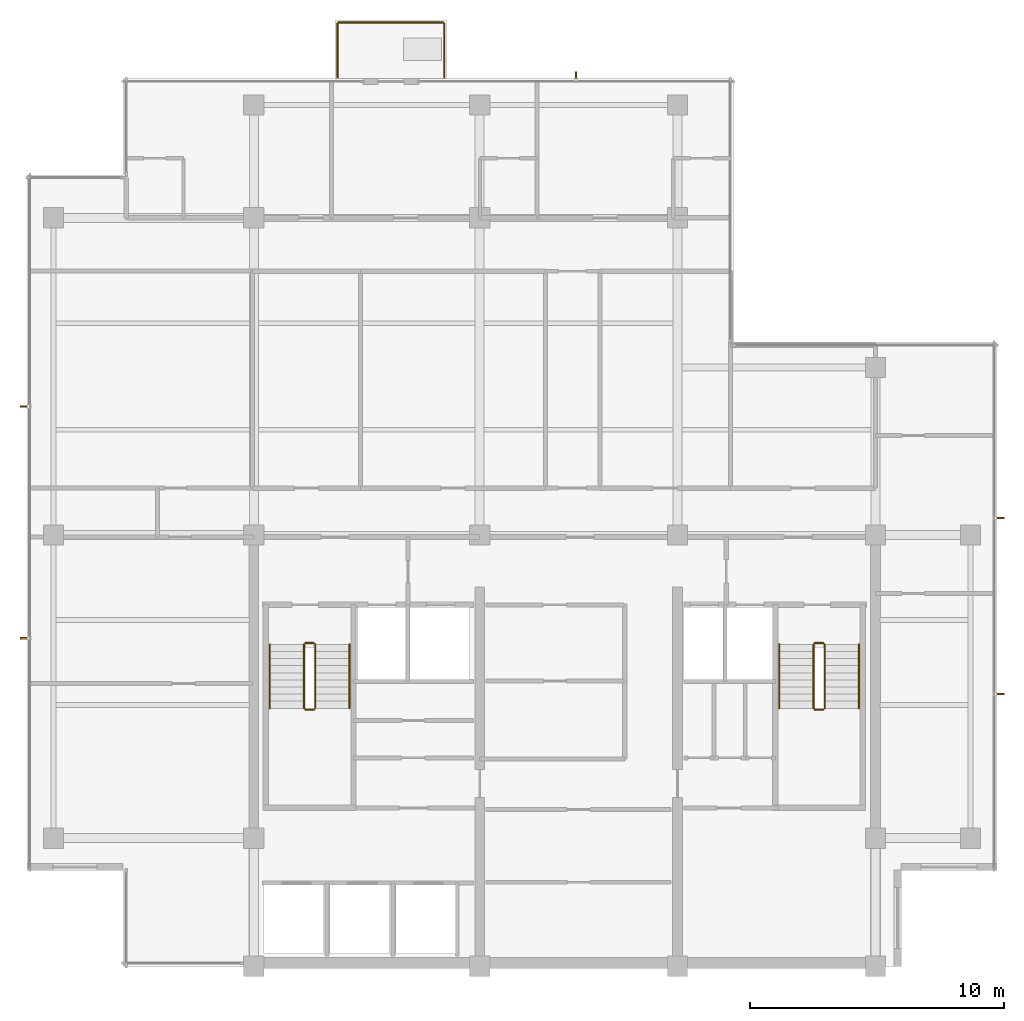
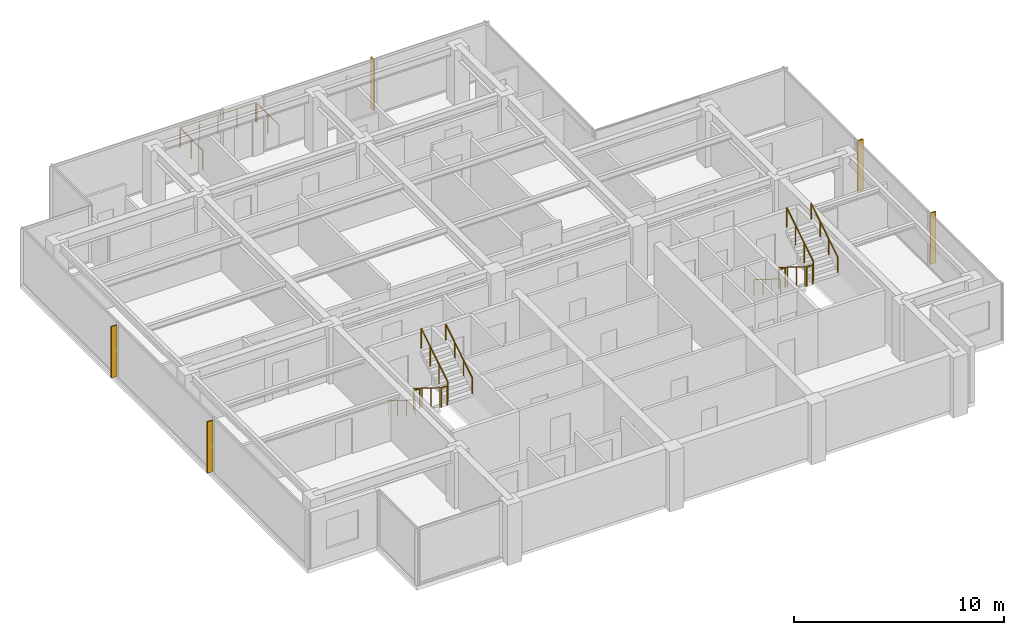
# One storey, part 11 of 11: 15 railings, 5 shading devices.
"""IFC4 building model written with IfcOpenShell, lengths in metres."""

from ifc_helpers import new_model, si_unit, direction, frame, origin, origin_2d, place, context, subcontext, project, spatial, polyline, circle, outline, extrude, material, layer, layer_set, type_object, element, save


model = new_model("IFC4")

# Units and contexts
model_context = context("Model", 3, precision=1e-05, world=origin(), true_north=direction((0.0, 1.0)))
body_context = subcontext(model_context, "Body", "Model", "MODEL_VIEW")
ifc_project = project(units=[si_unit("LENGTHUNIT", "METRE"), si_unit("AREAUNIT", "SQUARE_METRE"), si_unit("VOLUMEUNIT", "CUBIC_METRE"), si_unit("PLANEANGLEUNIT", "RADIAN"), si_unit("MASSUNIT", "GRAM", prefix="KILO")], contexts=[model_context])

# Site, building, storey
site_placement = place(None, origin())
site = spatial("IfcSite", under=ifc_project, at=site_placement, CompositionType="ELEMENT")
building_placement = place(site_placement, origin())
building = spatial("IfcBuilding", under=site, at=building_placement, Name="Qalmaran Belvedere Hotel", CompositionType="ELEMENT")
storey_placement = place(building_placement, frame((0.0, 0.0, 245.89990234375)))
storey = spatial("IfcBuildingStorey", under=building, at=storey_placement, Name="L63", CompositionType="ELEMENT", Elevation=245.89990234375)

# Shading devices
ifc_material_1 = material(Name="Anodised Bronze Aluminium", Category="aluminium")
ifc_layer = layer(ifc_material_1, 0.06494140625, Name="Anodised Bronze Aluminium")
ifc_layer_set = layer_set([ifc_layer], Name="Anodised Bronze Aluminium")
shading_device_type = type_object("IfcShadingDeviceType", Name="FIN-BRNZ-300", PredefinedType="USERDEFINED", material=ifc_layer_set)
shading_device_1_placement = place(storey_placement, frame((0.0, 0.0, 0.16015625)))
element("IfcShadingDevice", 1, at=shading_device_1_placement, inside=storey, type_object=shading_device_type, Name="L63 Bronze Fin 1", ObjectType="FIN", PredefinedType="USERDEFINED", context=body_context, shape_type="SweptSolid", body=[
    extrude(outline(polyline([(49.5673828125, 14.20068359375), (49.867431640625, 14.20068359375), (49.867431640625, 14.265869140625), (49.5673828125, 14.265869140625), (49.5673828125, 14.20068359375)])), origin(), (0.0, 0.0, 1.0), 2.97998046875),
])
shading_device_2_placement = place(storey_placement, frame((0.0, 0.0, 0.16015625)))
element("IfcShadingDevice", 2, at=shading_device_2_placement, inside=storey, type_object=shading_device_type, Name="L63 Bronze Fin 2", ObjectType="FIN", PredefinedType="USERDEFINED", context=body_context, shape_type="SweptSolid", body=[
    extrude(outline(polyline([(49.5673828125, 21.13427734375), (49.867431640625, 21.13427734375), (49.867431640625, 21.19921875), (49.5673828125, 21.19921875), (49.5673828125, 21.13427734375)])), origin(), (0.0, 0.0, 1.0), 2.97998046875),
])
shading_device_3_placement = place(storey_placement, frame((0.0, 0.0, 0.16015625)))
element("IfcShadingDevice", 3, at=shading_device_3_placement, inside=storey, type_object=shading_device_type, Name="L63 Bronze Fin 1", ObjectType="FIN", PredefinedType="USERDEFINED", context=body_context, shape_type="SweptSolid", body=[
    extrude(outline(polyline([(33.032470703125, 38.467529296875), (33.032470703125, 38.767578125), (32.967529296875, 38.767578125), (32.967529296875, 38.467529296875), (33.032470703125, 38.467529296875)])), origin(), (0.0, 0.0, 1.0), 2.97998046875),
])
shading_device_4_placement = place(storey_placement, frame((0.0, 0.0, 0.16015625)))
element("IfcShadingDevice", 4, at=shading_device_4_placement, inside=storey, type_object=shading_device_type, Name="L63 Bronze Fin 1", ObjectType="FIN", PredefinedType="USERDEFINED", context=body_context, shape_type="SweptSolid", body=[
    extrude(outline(polyline([(11.382568359375, 25.59912109375), (11.08251953125, 25.59912109375), (11.08251953125, 25.5341796875), (11.382568359375, 25.5341796875), (11.382568359375, 25.59912109375)])), origin(), (0.0, 0.0, 1.0), 2.97998046875),
])
shading_device_5_placement = place(storey_placement, frame((0.0, 0.0, 0.16015625)))
element("IfcShadingDevice", 5, at=shading_device_5_placement, inside=storey, type_object=shading_device_type, Name="L63 Bronze Fin 2", ObjectType="FIN", PredefinedType="USERDEFINED", context=body_context, shape_type="SweptSolid", body=[
    extrude(outline(polyline([(11.382568359375, 16.4658203125), (11.08251953125, 16.4658203125), (11.08251953125, 16.40087890625), (11.382568359375, 16.40087890625), (11.382568359375, 16.4658203125)])), origin(), (0.0, 0.0, 1.0), 2.97998046875),
])

# Railings
railing_type_1 = type_object("IfcRailingType", Name="GRD-BAL-1150", PredefinedType="BALUSTRADE", material=ifc_material_1)
railing_1_placement = place(storey_placement, frame((23.60009765625, 38.534912109375, 0.0)))
element("IfcRailing", 6, at=railing_1_placement, inside=storey, type_object=railing_type_1, Name="L63 Guardrail BAL-L63-N-1", PredefinedType="BALUSTRADE", context=body_context, shape_type="SweptSolid", body=[
    extrude(circle(Radius=0.02392578125, at=origin_2d()), frame((0.0, 0.0, 1.1259765625), z_axis=(0.0, 1.0, 0.0), x_axis=(-1.0, 0.0, 0.0)), (0.0, 0.0, 1.0), 2.130126953125),
    extrude(circle(Radius=0.02099609375, at=origin_2d()), origin(), (0.0, 0.0, 1.0), 1.101806640625),
    extrude(circle(Radius=0.02099609375, at=origin_2d()), frame((0.0, 1.06494140625, 0.0)), (0.0, 0.0, 1.0), 1.101806640625),
    extrude(circle(Radius=0.02099609375, at=origin_2d()), frame((0.0, 2.130126953125, 0.0)), (0.0, 0.0, 1.0), 1.101806640625),
])
railing_2_placement = place(storey_placement, frame((23.635009765625, 40.699951171875, 0.0)))
element("IfcRailing", 7, at=railing_2_placement, inside=storey, type_object=railing_type_1, Name="L63 Guardrail BAL-L63-N-2", PredefinedType="BALUSTRADE", context=body_context, shape_type="SweptSolid", body=[
    extrude(circle(Radius=0.02392578125, at=origin_2d()), frame((0.0, 0.0, 1.1259765625), z_axis=(1.0, 0.0, 0.0), x_axis=(0.0, 1.0, 0.0)), (0.0, 0.0, 1.0), 4.1298828125),
    extrude(circle(Radius=0.02099609375, at=origin_2d()), origin(), (0.0, 0.0, 1.0), 1.101806640625),
    extrude(circle(Radius=0.02099609375, at=origin_2d()), frame((1.032470703125, 0.0, 0.0)), (0.0, 0.0, 1.0), 1.101806640625),
    extrude(circle(Radius=0.02099609375, at=origin_2d()), frame((2.06494140625, 0.0, 0.0)), (0.0, 0.0, 1.0), 1.101806640625),
    extrude(circle(Radius=0.02099609375, at=origin_2d()), frame((3.097412109375, 0.0, 0.0)), (0.0, 0.0, 1.0), 1.101806640625),
    extrude(circle(Radius=0.02099609375, at=origin_2d()), frame((4.1298828125, 0.0, 0.0)), (0.0, 0.0, 1.0), 1.101806640625),
])
railing_3_placement = place(storey_placement, frame((27.800048828125, 40.6650390625, 0.0)))
element("IfcRailing", 8, at=railing_3_placement, inside=storey, type_object=railing_type_1, Name="L63 Guardrail BAL-L63-N-3", PredefinedType="BALUSTRADE", context=body_context, shape_type="SweptSolid", body=[
    extrude(circle(Radius=0.02392578125, at=origin_2d()), frame((0.0, 0.0, 1.1259765625), z_axis=(0.0, -1.0, 0.0), x_axis=(1.0, 0.0, 0.0)), (0.0, 0.0, 1.0), 2.130126953125),
    extrude(circle(Radius=0.02099609375, at=origin_2d()), origin(), (0.0, 0.0, 1.0), 1.101806640625),
    extrude(circle(Radius=0.02099609375, at=origin_2d()), frame((0.0, -1.06494140625, 0.0)), (0.0, 0.0, 1.0), 1.101806640625),
    extrude(circle(Radius=0.02099609375, at=origin_2d()), frame((0.0, -2.130126953125, 0.0)), (0.0, 0.0, 1.0), 1.101806640625),
])
ifc_material_2 = material(Name="Stainless Steel 1.4401", Category="steel")
railing_type_2 = type_object("IfcRailingType", Name="RLG-STAIR-GUARD-1150", PredefinedType="GUARDRAIL", material=ifc_material_2)
railing_4_placement = place(storey_placement, frame((22.280029296875, 16.18994140625, 0.175048828125)))
element("IfcRailing", 9, at=railing_4_placement, inside=storey, type_object=railing_type_2, Name="L63 ST-1 stair guard 1", PredefinedType="GUARDRAIL", context=body_context, shape_type="SweptSolid", body=[
    extrude(circle(Radius=0.02392578125, at=origin_2d()), frame((0.0, 0.0, 1.1259765625), z_axis=(0.0, -0.848007534815, 0.529984170421), x_axis=(1.0, 0.0, 0.0)), (0.0, 0.0, 1.0), 2.9716796875),
    extrude(circle(Radius=0.02099609375, at=origin_2d()), origin(), (0.0, 0.0, 1.0), 1.101806640625),
    extrude(circle(Radius=0.02099609375, at=origin_2d()), frame((0.0, -0.840087890625, 0.52490234375)), (0.0, 0.0, 1.0), 1.101806640625),
    extrude(circle(Radius=0.02099609375, at=origin_2d()), frame((0.0, -1.679931640625, 1.050048828125)), (0.0, 0.0, 1.0), 1.101806640625),
    extrude(circle(Radius=0.02099609375, at=origin_2d()), frame((0.0, -2.52001953125, 1.574951171875)), (0.0, 0.0, 1.0), 1.101806640625),
])
railing_5_placement = place(storey_placement, frame((22.330078125, 13.6201171875, 1.75)))
element("IfcRailing", 10, at=railing_5_placement, inside=storey, type_object=railing_type_2, Name="L63 ST-1 stair guard 2", PredefinedType="GUARDRAIL", context=body_context, shape_type="SweptSolid", body=[
    extrude(circle(Radius=0.02392578125, at=origin_2d()), frame((0.0, 0.0, 1.1259765625), z_axis=(1.0, 0.0, 0.0), x_axis=(0.0, 1.0, 0.0)), (0.0, 0.0, 1.0), 0.33984375),
    extrude(circle(Radius=0.02099609375, at=origin_2d()), origin(), (0.0, 0.0, 1.0), 1.101806640625),
    extrude(circle(Radius=0.02099609375, at=origin_2d()), frame((0.33984375, 0.0, 0.0)), (0.0, 0.0, 1.0), 1.101806640625),
])
railing_6_placement = place(storey_placement, frame((22.719970703125, 13.669921875, 1.925048828125)))
element("IfcRailing", 11, at=railing_6_placement, inside=storey, type_object=railing_type_2, Name="L63 ST-1 stair guard 3", PredefinedType="GUARDRAIL", context=body_context, shape_type="SweptSolid", body=[
    extrude(circle(Radius=0.02392578125, at=origin_2d()), frame((0.0, 0.0, 1.1259765625), z_axis=(0.0, 0.848007534815, 0.529984170421), x_axis=(-1.0, 0.0, 0.0)), (0.0, 0.0, 1.0), 2.9716796875),
    extrude(circle(Radius=0.02099609375, at=origin_2d()), origin(), (0.0, 0.0, 1.0), 1.101806640625),
    extrude(circle(Radius=0.02099609375, at=origin_2d()), frame((0.0, 0.840087890625, 0.52490234375)), (0.0, 0.0, 1.0), 1.101806640625),
    extrude(circle(Radius=0.02099609375, at=origin_2d()), frame((0.0, 1.679931640625, 1.050048828125)), (0.0, 0.0, 1.0), 1.101806640625),
    extrude(circle(Radius=0.02099609375, at=origin_2d()), frame((0.0, 2.52001953125, 1.574951171875)), (0.0, 0.0, 1.0), 1.101806640625),
])
railing_7_placement = place(storey_placement, frame((22.330078125, 16.239990234375, 0.0)))
element("IfcRailing", 12, at=railing_7_placement, inside=storey, type_object=railing_type_2, Name="L63 ST-1 stair guard 4", PredefinedType="GUARDRAIL", context=body_context, shape_type="SweptSolid", body=[
    extrude(circle(Radius=0.02392578125, at=origin_2d()), frame((0.0, 0.0, 1.1259765625), z_axis=(1.0, 0.0, 0.0), x_axis=(0.0, 1.0, 0.0)), (0.0, 0.0, 1.0), 0.33984375),
    extrude(circle(Radius=0.02099609375, at=origin_2d()), origin(), (0.0, 0.0, 1.0), 1.101806640625),
    extrude(circle(Radius=0.02099609375, at=origin_2d()), frame((0.33984375, 0.0, 0.0)), (0.0, 0.0, 1.0), 1.101806640625),
])
railing_8_placement = place(storey_placement, frame((42.360107421875, 16.18994140625, 0.175048828125)))
element("IfcRailing", 13, at=railing_8_placement, inside=storey, type_object=railing_type_2, Name="L63 ST-2 stair guard 1", PredefinedType="GUARDRAIL", context=body_context, shape_type="SweptSolid", body=[
    extrude(circle(Radius=0.02392578125, at=origin_2d()), frame((0.0, 0.0, 1.1259765625), z_axis=(0.0, -0.848007534815, 0.529984170421), x_axis=(1.0, 0.0, 0.0)), (0.0, 0.0, 1.0), 2.9716796875),
    extrude(circle(Radius=0.02099609375, at=origin_2d()), origin(), (0.0, 0.0, 1.0), 1.101806640625),
    extrude(circle(Radius=0.02099609375, at=origin_2d()), frame((0.0, -0.840087890625, 0.52490234375)), (0.0, 0.0, 1.0), 1.101806640625),
    extrude(circle(Radius=0.02099609375, at=origin_2d()), frame((0.0, -1.679931640625, 1.050048828125)), (0.0, 0.0, 1.0), 1.101806640625),
    extrude(circle(Radius=0.02099609375, at=origin_2d()), frame((0.0, -2.52001953125, 1.574951171875)), (0.0, 0.0, 1.0), 1.101806640625),
])
railing_9_placement = place(storey_placement, frame((42.409912109375, 13.6201171875, 1.75)))
element("IfcRailing", 14, at=railing_9_placement, inside=storey, type_object=railing_type_2, Name="L63 ST-2 stair guard 2", PredefinedType="GUARDRAIL", context=body_context, shape_type="SweptSolid", body=[
    extrude(circle(Radius=0.02392578125, at=origin_2d()), frame((0.0, 0.0, 1.1259765625), z_axis=(1.0, 0.0, 0.0), x_axis=(0.0, 1.0, 0.0)), (0.0, 0.0, 1.0), 0.340087890625),
    extrude(circle(Radius=0.02099609375, at=origin_2d()), origin(), (0.0, 0.0, 1.0), 1.101806640625),
    extrude(circle(Radius=0.02099609375, at=origin_2d()), frame((0.340087890625, 0.0, 0.0)), (0.0, 0.0, 1.0), 1.101806640625),
])
railing_10_placement = place(storey_placement, frame((42.800048828125, 13.669921875, 1.925048828125)))
element("IfcRailing", 15, at=railing_10_placement, inside=storey, type_object=railing_type_2, Name="L63 ST-2 stair guard 3", PredefinedType="GUARDRAIL", context=body_context, shape_type="SweptSolid", body=[
    extrude(circle(Radius=0.02392578125, at=origin_2d()), frame((0.0, 0.0, 1.1259765625), z_axis=(0.0, 0.848007534815, 0.529984170421), x_axis=(-1.0, 0.0, 0.0)), (0.0, 0.0, 1.0), 2.9716796875),
    extrude(circle(Radius=0.02099609375, at=origin_2d()), origin(), (0.0, 0.0, 1.0), 1.101806640625),
    extrude(circle(Radius=0.02099609375, at=origin_2d()), frame((0.0, 0.840087890625, 0.52490234375)), (0.0, 0.0, 1.0), 1.101806640625),
    extrude(circle(Radius=0.02099609375, at=origin_2d()), frame((0.0, 1.679931640625, 1.050048828125)), (0.0, 0.0, 1.0), 1.101806640625),
    extrude(circle(Radius=0.02099609375, at=origin_2d()), frame((0.0, 2.52001953125, 1.574951171875)), (0.0, 0.0, 1.0), 1.101806640625),
])
railing_11_placement = place(storey_placement, frame((42.409912109375, 16.239990234375, 0.0)))
element("IfcRailing", 16, at=railing_11_placement, inside=storey, type_object=railing_type_2, Name="L63 ST-2 stair guard 4", PredefinedType="GUARDRAIL", context=body_context, shape_type="SweptSolid", body=[
    extrude(circle(Radius=0.02392578125, at=origin_2d()), frame((0.0, 0.0, 1.1259765625), z_axis=(1.0, 0.0, 0.0), x_axis=(0.0, 1.0, 0.0)), (0.0, 0.0, 1.0), 0.340087890625),
    extrude(circle(Radius=0.02099609375, at=origin_2d()), origin(), (0.0, 0.0, 1.0), 1.101806640625),
    extrude(circle(Radius=0.02099609375, at=origin_2d()), frame((0.340087890625, 0.0, 0.0)), (0.0, 0.0, 1.0), 1.101806640625),
])
railing_type_3 = type_object("IfcRailingType", Name="RLG-STAIR-HAND-910", PredefinedType="HANDRAIL", material=ifc_material_2)
railing_12_placement = place(storey_placement, frame((20.929931640625, 16.18994140625, 0.175048828125)))
element("IfcRailing", 17, at=railing_12_placement, inside=storey, type_object=railing_type_3, Name="L63 ST-1 stair handrail 1", PredefinedType="HANDRAIL", context=body_context, shape_type="SweptSolid", body=[
    extrude(circle(Radius=0.02392578125, at=origin_2d()), frame((0.0, 0.0, 0.8857421875), z_axis=(0.0, -0.848007534815, 0.529984170421), x_axis=(1.0, 0.0, 0.0)), (0.0, 0.0, 1.0), 2.9716796875),
    extrude(circle(Radius=0.02099609375, at=origin_2d()), origin(), (0.0, 0.0, 1.0), 0.86181640625),
    extrude(circle(Radius=0.02099609375, at=origin_2d()), frame((0.0, -0.840087890625, 0.52490234375)), (0.0, 0.0, 1.0), 0.86181640625),
    extrude(circle(Radius=0.02099609375, at=origin_2d()), frame((0.0, -1.679931640625, 1.050048828125)), (0.0, 0.0, 1.0), 0.86181640625),
    extrude(circle(Radius=0.02099609375, at=origin_2d()), frame((0.0, -2.52001953125, 1.574951171875)), (0.0, 0.0, 1.0), 0.86181640625),
])
railing_13_placement = place(storey_placement, frame((24.070068359375, 13.669921875, 1.925048828125)))
element("IfcRailing", 18, at=railing_13_placement, inside=storey, type_object=railing_type_3, Name="L63 ST-1 stair handrail 2", PredefinedType="HANDRAIL", context=body_context, shape_type="SweptSolid", body=[
    extrude(circle(Radius=0.02392578125, at=origin_2d()), frame((0.0, 0.0, 0.8857421875), z_axis=(0.0, 0.848007534815, 0.529984170421), x_axis=(-1.0, 0.0, 0.0)), (0.0, 0.0, 1.0), 2.9716796875),
    extrude(circle(Radius=0.02099609375, at=origin_2d()), origin(), (0.0, 0.0, 1.0), 0.86181640625),
    extrude(circle(Radius=0.02099609375, at=origin_2d()), frame((0.0, 0.840087890625, 0.52490234375)), (0.0, 0.0, 1.0), 0.86181640625),
    extrude(circle(Radius=0.02099609375, at=origin_2d()), frame((0.0, 1.679931640625, 1.050048828125)), (0.0, 0.0, 1.0), 0.86181640625),
    extrude(circle(Radius=0.02099609375, at=origin_2d()), frame((0.0, 2.52001953125, 1.574951171875)), (0.0, 0.0, 1.0), 0.86181640625),
])
railing_14_placement = place(storey_placement, frame((41.010009765625, 16.18994140625, 0.175048828125)))
element("IfcRailing", 19, at=railing_14_placement, inside=storey, type_object=railing_type_3, Name="L63 ST-2 stair handrail 1", PredefinedType="HANDRAIL", context=body_context, shape_type="SweptSolid", body=[
    extrude(circle(Radius=0.02392578125, at=origin_2d()), frame((0.0, 0.0, 0.8857421875), z_axis=(0.0, -0.848007534815, 0.529984170421), x_axis=(1.0, 0.0, 0.0)), (0.0, 0.0, 1.0), 2.9716796875),
    extrude(circle(Radius=0.02099609375, at=origin_2d()), origin(), (0.0, 0.0, 1.0), 0.86181640625),
    extrude(circle(Radius=0.02099609375, at=origin_2d()), frame((0.0, -0.840087890625, 0.52490234375)), (0.0, 0.0, 1.0), 0.86181640625),
    extrude(circle(Radius=0.02099609375, at=origin_2d()), frame((0.0, -1.679931640625, 1.050048828125)), (0.0, 0.0, 1.0), 0.86181640625),
    extrude(circle(Radius=0.02099609375, at=origin_2d()), frame((0.0, -2.52001953125, 1.574951171875)), (0.0, 0.0, 1.0), 0.86181640625),
])
railing_15_placement = place(storey_placement, frame((44.14990234375, 13.669921875, 1.925048828125)))
element("IfcRailing", 20, at=railing_15_placement, inside=storey, type_object=railing_type_3, Name="L63 ST-2 stair handrail 2", PredefinedType="HANDRAIL", context=body_context, shape_type="SweptSolid", body=[
    extrude(circle(Radius=0.02392578125, at=origin_2d()), frame((0.0, 0.0, 0.8857421875), z_axis=(0.0, 0.848007534815, 0.529984170421), x_axis=(-1.0, 0.0, 0.0)), (0.0, 0.0, 1.0), 2.9716796875),
    extrude(circle(Radius=0.02099609375, at=origin_2d()), origin(), (0.0, 0.0, 1.0), 0.86181640625),
    extrude(circle(Radius=0.02099609375, at=origin_2d()), frame((0.0, 0.840087890625, 0.52490234375)), (0.0, 0.0, 1.0), 0.86181640625),
    extrude(circle(Radius=0.02099609375, at=origin_2d()), frame((0.0, 1.679931640625, 1.050048828125)), (0.0, 0.0, 1.0), 0.86181640625),
    extrude(circle(Radius=0.02099609375, at=origin_2d()), frame((0.0, 2.52001953125, 1.574951171875)), (0.0, 0.0, 1.0), 0.86181640625),
])

save(model, "model.ifc")
